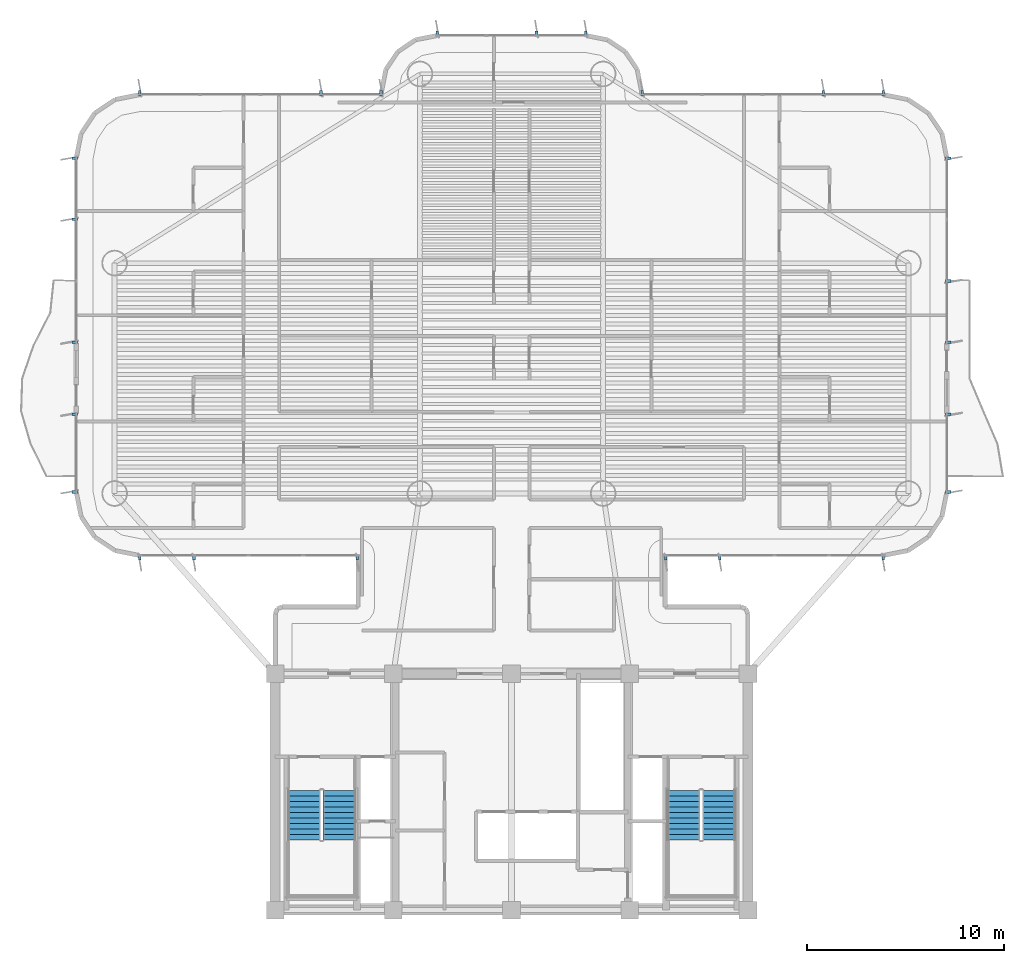
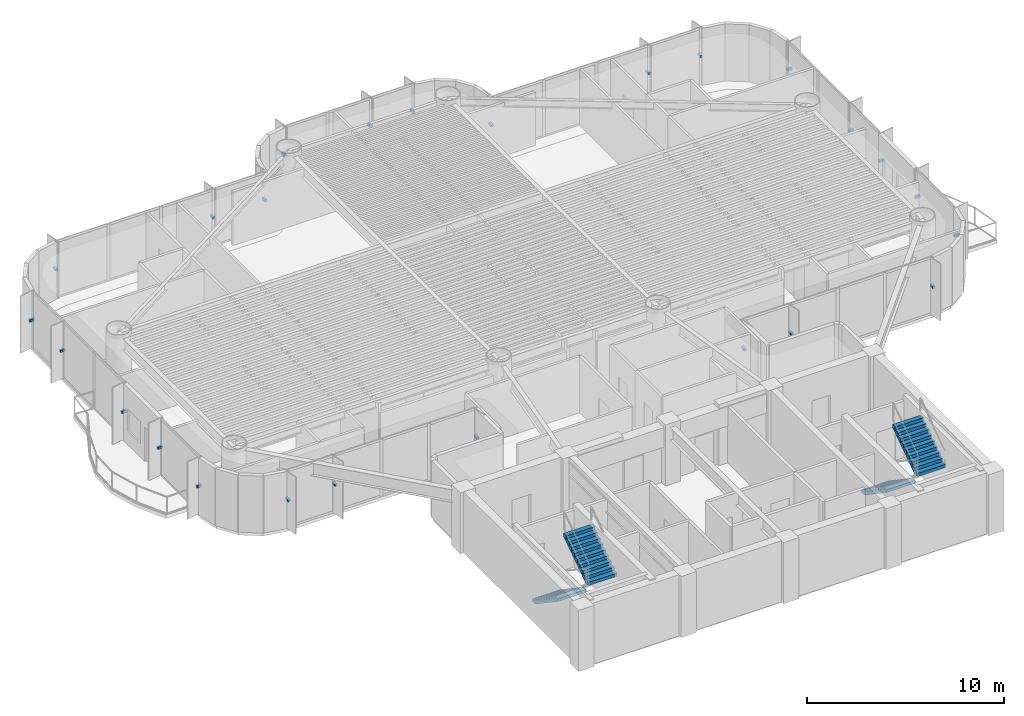
# One storey, part 13 of 17: 25 discrete accessories, 4 stair flights, 2 elements without a shape of their own.
"""IFC4 building model written with IfcOpenShell, lengths in metres."""

from ifc_helpers import new_model, si_unit, direction, frame, origin, origin_2d, place, context, subcontext, project, spatial, polyline, rectangle, outline, extrude, source, transform, mapped, material, type_object, element, aggregate, save


model = new_model("IFC4")

# Units and contexts
model_context = context("Model", 3, precision=1e-05, world=origin(), true_north=direction((0.0, 1.0)))
body_context = subcontext(model_context, "Body", "Model", "MODEL_VIEW")
ifc_project = project(units=[si_unit("LENGTHUNIT", "METRE"), si_unit("AREAUNIT", "SQUARE_METRE"), si_unit("VOLUMEUNIT", "CUBIC_METRE"), si_unit("PLANEANGLEUNIT", "RADIAN"), si_unit("MASSUNIT", "GRAM", prefix="KILO")], contexts=[model_context])

# Site, building, storey
site_placement = place(None, origin())
site = spatial("IfcSite", under=ifc_project, at=site_placement, CompositionType="ELEMENT")
building_placement = place(site_placement, origin())
building = spatial("IfcBuilding", under=site, at=building_placement, Name="Brelvock Crest Care Tower", CompositionType="ELEMENT")
storey_placement = place(building_placement, frame((0.0, 0.0, 135.179931640625)))
storey = spatial("IfcBuildingStorey", under=building, at=storey_placement, Name="L34", CompositionType="ELEMENT", Elevation=135.179931640625)

# Stair, stair flights
ifc_material_1 = material(Name="Concrete N40 (40 MPa)", Category="concrete")
stair_type = type_object("IfcStairType", Name="ST-CORE1", PredefinedType="HALF_TURN_STAIR", material=ifc_material_1)
stair_1_placement = place(storey_placement, origin())
stair_1 = element("IfcStair", 1, at=stair_1_placement, inside=storey, type_object=stair_type, Name="L34 Fire-Isolated Core Stair ST-1", PredefinedType="HALF_TURN_STAIR")
stair_flight_type = type_object("IfcStairFlightType", Name="STF-1", PredefinedType="STRAIGHT", material=ifc_material_1)
stair_flight_1_placement = place(storey_placement, frame((25.469970703125, 12.080078125, 0.0), z_axis=(0.0, 0.0, 1.0), x_axis=(0.0, -1.0, 0.0)))
stair_flight_1 = element("IfcStairFlight", 2, at=stair_flight_1_placement, type_object=stair_flight_type, Name="ST-1 flight 1", NumberOfRisers=10, NumberOfTreads=9, PredefinedType="STRAIGHT", RiserHeight=0.189, TreadLength=0.28, context=body_context, shape_type="SweptSolid", body=[
    extrude(outline(polyline([(-0.00390625, -0.014892578125), (-0.00390625, -0.0078125), (-0.00390625, -0.00048828125), (-0.00390625, 0.0068359375), (-0.00390625, 0.01416015625), (-0.00390625, 0.021484375), (-0.00390625, 0.02880859375), (-0.00390625, 0.035888671875), (-0.00390625, 0.043212890625), (-0.00390625, 0.050537109375), (-0.00390625, 0.057861328125), (-0.00390625, 0.065185546875), (-0.00390625, 0.072509765625), (-0.00390625, 0.07958984375), (-0.00390625, 0.0869140625), (-0.00390625, 0.09423828125), (-0.00390625, 0.1015625), (-0.00390625, 0.10888671875), (-0.00390625, 0.1162109375), (-0.00390625, 0.12353515625), (-0.00390625, 0.130615234375), (-0.00390625, 0.137939453125), (-0.00390625, 0.145263671875), (-0.00390625, 0.152587890625), (-0.00390625, 0.159912109375), (-0.00390625, 0.167236328125), (-0.00390625, 0.17431640625), (-0.00390625, 0.181640625), (-0.00390625, 0.18896484375), (0.0, 0.18896484375), (0.280029296875, 0.18896484375), (0.280029296875, 0.3779296875), (0.56005859375, 0.3779296875), (0.56005859375, 0.56689453125), (0.840087890625, 0.56689453125), (0.840087890625, 0.756103515625), (1.1201171875, 0.756103515625), (1.1201171875, 0.945068359375), (1.39990234375, 0.945068359375), (1.39990234375, 1.134033203125), (1.679931640625, 1.134033203125), (1.679931640625, 1.322998046875), (1.9599609375, 1.322998046875), (1.9599609375, 1.511962890625), (2.239990234375, 1.511962890625), (2.239990234375, 1.700927734375), (2.52001953125, 1.700927734375), (2.52392578125, 1.700927734375), (2.523681640625, 1.70068359375), (2.52392578125, 1.700439453125), (2.523681640625, 1.699951171875), (2.52392578125, 1.69970703125), (2.523681640625, 1.699462890625), (2.52392578125, 1.698974609375), (2.523681640625, 1.69873046875), (2.52392578125, 1.698486328125), (2.523681640625, 1.697998046875), (2.52392578125, 1.69775390625), (2.523681640625, 1.697509765625), (2.52392578125, 1.697021484375), (2.523681640625, 1.69677734375), (2.52392578125, 1.696533203125), (2.523681640625, 1.6962890625), (2.52392578125, 1.69580078125), (2.523681640625, 1.695556640625), (2.52392578125, 1.6953125), (2.523681640625, 1.69482421875), (2.52392578125, 1.694580078125), (2.523681640625, 1.6943359375), (2.52392578125, 1.69384765625), (2.523681640625, 1.693603515625), (2.52392578125, 1.693359375), (2.523681640625, 1.69287109375), (2.52392578125, 1.692626953125), (2.523681640625, 1.6923828125), (2.52392578125, 1.69189453125), (2.52001953125, 1.520263671875), (0.267822265625, 0.0), (0.0, 0.0), (0.0, -0.014892578125), (-0.00390625, -0.014892578125)])), frame((0.0, 0.83984375, 0.0), z_axis=(0.0, -1.0, 0.0), x_axis=(1.0, 0.0, 0.0)), (0.0, 0.0, 1.0), 1.679931640625),
])
stair_flight_2_placement = place(storey_placement, frame((27.27001953125, 9.56005859375, 1.89013671875), z_axis=(0.0, 0.0, 1.0), x_axis=(0.0, 1.0, 0.0)))
stair_flight_2 = element("IfcStairFlight", 3, at=stair_flight_2_placement, type_object=stair_flight_type, Name="ST-1 flight 2", NumberOfRisers=10, NumberOfTreads=9, PredefinedType="STRAIGHT", RiserHeight=0.189, TreadLength=0.28, context=body_context, shape_type="SweptSolid", body=[
    extrude(outline(polyline([(-0.00390625, -0.014892578125), (-0.00390625, -0.0078125), (-0.00390625, -0.00048828125), (-0.00390625, 0.0068359375), (-0.00390625, 0.01416015625), (-0.00390625, 0.021484375), (-0.00390625, 0.02880859375), (-0.00390625, 0.035888671875), (-0.00390625, 0.043212890625), (-0.00390625, 0.050537109375), (-0.00390625, 0.057861328125), (-0.00390625, 0.065185546875), (-0.00390625, 0.072509765625), (-0.00390625, 0.07958984375), (-0.00390625, 0.0869140625), (-0.00390625, 0.09423828125), (-0.00390625, 0.1015625), (-0.00390625, 0.10888671875), (-0.00390625, 0.1162109375), (-0.00390625, 0.12353515625), (-0.00390625, 0.130615234375), (-0.00390625, 0.137939453125), (-0.00390625, 0.145263671875), (-0.00390625, 0.152587890625), (-0.00390625, 0.159912109375), (-0.00390625, 0.167236328125), (-0.00390625, 0.17431640625), (-0.00390625, 0.181640625), (-0.00390625, 0.18896484375), (0.0, 0.18896484375), (0.280029296875, 0.18896484375), (0.280029296875, 0.3779296875), (0.56005859375, 0.3779296875), (0.56005859375, 0.56689453125), (0.840087890625, 0.56689453125), (0.840087890625, 0.756103515625), (1.1201171875, 0.756103515625), (1.1201171875, 0.945068359375), (1.39990234375, 0.945068359375), (1.39990234375, 1.134033203125), (1.679931640625, 1.134033203125), (1.679931640625, 1.322998046875), (1.9599609375, 1.322998046875), (1.9599609375, 1.511962890625), (2.239990234375, 1.511962890625), (2.239990234375, 1.700927734375), (2.52001953125, 1.700927734375), (2.52392578125, 1.700927734375), (2.523681640625, 1.70068359375), (2.52392578125, 1.700439453125), (2.523681640625, 1.699951171875), (2.52392578125, 1.69970703125), (2.523681640625, 1.699462890625), (2.52392578125, 1.698974609375), (2.523681640625, 1.69873046875), (2.52392578125, 1.698486328125), (2.523681640625, 1.697998046875), (2.52392578125, 1.69775390625), (2.523681640625, 1.697509765625), (2.52392578125, 1.697021484375), (2.523681640625, 1.69677734375), (2.52392578125, 1.696533203125), (2.523681640625, 1.6962890625), (2.52392578125, 1.69580078125), (2.523681640625, 1.695556640625), (2.52392578125, 1.6953125), (2.523681640625, 1.69482421875), (2.52392578125, 1.694580078125), (2.523681640625, 1.6943359375), (2.52392578125, 1.69384765625), (2.523681640625, 1.693603515625), (2.52392578125, 1.693359375), (2.523681640625, 1.69287109375), (2.52392578125, 1.692626953125), (2.523681640625, 1.6923828125), (2.52392578125, 1.69189453125), (2.52001953125, 1.520263671875), (0.267822265625, 0.0), (0.0, 0.0), (0.0, -0.014892578125), (-0.00390625, -0.014892578125)])), frame((0.0, 0.83984375, 0.0), z_axis=(0.0, -1.0, 0.0), x_axis=(1.0, 0.0, 0.0)), (0.0, 0.0, 1.0), 1.679931640625),
])
aggregate(stair_1, [stair_flight_1, stair_flight_2])

stair_2_placement = place(storey_placement, origin())
stair_2 = element("IfcStair", 4, at=stair_2_placement, inside=storey, type_object=stair_type, Name="L34 Fire-Isolated Core Stair ST-2", PredefinedType="HALF_TURN_STAIR")
stair_flight_3_placement = place(storey_placement, frame((44.72998046875, 12.080078125, 0.0), z_axis=(0.0, 0.0, 1.0), x_axis=(0.0, -1.0, 0.0)))
stair_flight_3 = element("IfcStairFlight", 5, at=stair_flight_3_placement, type_object=stair_flight_type, Name="ST-2 flight 1", NumberOfRisers=10, NumberOfTreads=9, PredefinedType="STRAIGHT", RiserHeight=0.189, TreadLength=0.28, context=body_context, shape_type="SweptSolid", body=[
    extrude(outline(polyline([(-0.00390625, -0.014892578125), (-0.00390625, -0.0078125), (-0.00390625, -0.00048828125), (-0.00390625, 0.0068359375), (-0.00390625, 0.01416015625), (-0.00390625, 0.021484375), (-0.00390625, 0.02880859375), (-0.00390625, 0.035888671875), (-0.00390625, 0.043212890625), (-0.00390625, 0.050537109375), (-0.00390625, 0.057861328125), (-0.00390625, 0.065185546875), (-0.00390625, 0.072509765625), (-0.00390625, 0.07958984375), (-0.00390625, 0.0869140625), (-0.00390625, 0.09423828125), (-0.00390625, 0.1015625), (-0.00390625, 0.10888671875), (-0.00390625, 0.1162109375), (-0.00390625, 0.12353515625), (-0.00390625, 0.130615234375), (-0.00390625, 0.137939453125), (-0.00390625, 0.145263671875), (-0.00390625, 0.152587890625), (-0.00390625, 0.159912109375), (-0.00390625, 0.167236328125), (-0.00390625, 0.17431640625), (-0.00390625, 0.181640625), (-0.00390625, 0.18896484375), (0.0, 0.18896484375), (0.280029296875, 0.18896484375), (0.280029296875, 0.3779296875), (0.56005859375, 0.3779296875), (0.56005859375, 0.56689453125), (0.840087890625, 0.56689453125), (0.840087890625, 0.756103515625), (1.1201171875, 0.756103515625), (1.1201171875, 0.945068359375), (1.39990234375, 0.945068359375), (1.39990234375, 1.134033203125), (1.679931640625, 1.134033203125), (1.679931640625, 1.322998046875), (1.9599609375, 1.322998046875), (1.9599609375, 1.511962890625), (2.239990234375, 1.511962890625), (2.239990234375, 1.700927734375), (2.52001953125, 1.700927734375), (2.52392578125, 1.700927734375), (2.523681640625, 1.70068359375), (2.52392578125, 1.700439453125), (2.523681640625, 1.699951171875), (2.52392578125, 1.69970703125), (2.523681640625, 1.699462890625), (2.52392578125, 1.698974609375), (2.523681640625, 1.69873046875), (2.52392578125, 1.698486328125), (2.523681640625, 1.697998046875), (2.52392578125, 1.69775390625), (2.523681640625, 1.697509765625), (2.52392578125, 1.697021484375), (2.523681640625, 1.69677734375), (2.52392578125, 1.696533203125), (2.523681640625, 1.6962890625), (2.52392578125, 1.69580078125), (2.523681640625, 1.695556640625), (2.52392578125, 1.6953125), (2.523681640625, 1.69482421875), (2.52392578125, 1.694580078125), (2.523681640625, 1.6943359375), (2.52392578125, 1.69384765625), (2.523681640625, 1.693603515625), (2.52392578125, 1.693359375), (2.523681640625, 1.69287109375), (2.52392578125, 1.692626953125), (2.523681640625, 1.6923828125), (2.52392578125, 1.69189453125), (2.52001953125, 1.520263671875), (0.267822265625, 0.0), (0.0, 0.0), (0.0, -0.014892578125), (-0.00390625, -0.014892578125)])), frame((0.0, 0.83984375, 0.0), z_axis=(0.0, -1.0, 0.0), x_axis=(1.0, 0.0, 0.0)), (0.0, 0.0, 1.0), 1.679931640625),
])
stair_flight_4_placement = place(storey_placement, frame((46.530029296875, 9.56005859375, 1.89013671875), z_axis=(0.0, 0.0, 1.0), x_axis=(0.0, 1.0, 0.0)))
stair_flight_4 = element("IfcStairFlight", 6, at=stair_flight_4_placement, type_object=stair_flight_type, Name="ST-2 flight 2", NumberOfRisers=10, NumberOfTreads=9, PredefinedType="STRAIGHT", RiserHeight=0.189, TreadLength=0.28, context=body_context, shape_type="SweptSolid", body=[
    extrude(outline(polyline([(-0.00390625, -0.014892578125), (-0.00390625, -0.0078125), (-0.00390625, -0.00048828125), (-0.00390625, 0.0068359375), (-0.00390625, 0.01416015625), (-0.00390625, 0.021484375), (-0.00390625, 0.02880859375), (-0.00390625, 0.035888671875), (-0.00390625, 0.043212890625), (-0.00390625, 0.050537109375), (-0.00390625, 0.057861328125), (-0.00390625, 0.065185546875), (-0.00390625, 0.072509765625), (-0.00390625, 0.07958984375), (-0.00390625, 0.0869140625), (-0.00390625, 0.09423828125), (-0.00390625, 0.1015625), (-0.00390625, 0.10888671875), (-0.00390625, 0.1162109375), (-0.00390625, 0.12353515625), (-0.00390625, 0.130615234375), (-0.00390625, 0.137939453125), (-0.00390625, 0.145263671875), (-0.00390625, 0.152587890625), (-0.00390625, 0.159912109375), (-0.00390625, 0.167236328125), (-0.00390625, 0.17431640625), (-0.00390625, 0.181640625), (-0.00390625, 0.18896484375), (0.0, 0.18896484375), (0.280029296875, 0.18896484375), (0.280029296875, 0.3779296875), (0.56005859375, 0.3779296875), (0.56005859375, 0.56689453125), (0.840087890625, 0.56689453125), (0.840087890625, 0.756103515625), (1.1201171875, 0.756103515625), (1.1201171875, 0.945068359375), (1.39990234375, 0.945068359375), (1.39990234375, 1.134033203125), (1.679931640625, 1.134033203125), (1.679931640625, 1.322998046875), (1.9599609375, 1.322998046875), (1.9599609375, 1.511962890625), (2.239990234375, 1.511962890625), (2.239990234375, 1.700927734375), (2.52001953125, 1.700927734375), (2.52392578125, 1.700927734375), (2.523681640625, 1.70068359375), (2.52392578125, 1.700439453125), (2.523681640625, 1.699951171875), (2.52392578125, 1.69970703125), (2.523681640625, 1.699462890625), (2.52392578125, 1.698974609375), (2.523681640625, 1.69873046875), (2.52392578125, 1.698486328125), (2.523681640625, 1.697998046875), (2.52392578125, 1.69775390625), (2.523681640625, 1.697509765625), (2.52392578125, 1.697021484375), (2.523681640625, 1.69677734375), (2.52392578125, 1.696533203125), (2.523681640625, 1.6962890625), (2.52392578125, 1.69580078125), (2.523681640625, 1.695556640625), (2.52392578125, 1.6953125), (2.523681640625, 1.69482421875), (2.52392578125, 1.694580078125), (2.523681640625, 1.6943359375), (2.52392578125, 1.69384765625), (2.523681640625, 1.693603515625), (2.52392578125, 1.693359375), (2.523681640625, 1.69287109375), (2.52392578125, 1.692626953125), (2.523681640625, 1.6923828125), (2.52392578125, 1.69189453125), (2.52001953125, 1.520263671875), (0.267822265625, 0.0), (0.0, 0.0), (0.0, -0.014892578125), (-0.00390625, -0.014892578125)])), frame((0.0, 0.83984375, 0.0), z_axis=(0.0, -1.0, 0.0), x_axis=(1.0, 0.0, 0.0)), (0.0, 0.0, 1.0), 1.679931640625),
])
aggregate(stair_2, [stair_flight_3, stair_flight_4])

# Discrete accessories
ifc_material_2 = material(Name="Steel Grade 350", Category="steel")
discrete_accessory_type = type_object("IfcDiscreteAccessoryType", Name="ACC-BRK1", PredefinedType="BRACKET", material=ifc_material_2)
shared_shape = source(origin(), body_context, "Body", "SweptSolid", [
    extrude(rectangle(XDim=0.280029296875, YDim=0.139892578125, at=origin_2d()), origin(), (0.0, 0.0, 1.0), 0.139892578125),
])
for number, where, z_axis, x_axis, name in (
    (7, (28.169921875, 23.919921875, 1.6953125), (0.0, 0.0, 1.0), (0.0, -1.0, 0.0), "L34 Facade Fin Bracket E12-01"),
    (8, (19.875, 23.919921875, 1.6953125), (0.0, 0.0, 1.0), (0.0, -1.0, 0.0), "L34 Facade Fin Bracket E12-04"),
    (9, (17.1298828125, 23.919921875, 1.6953125), (0.0, 0.0, 1.0), (0.0, -1.0, 0.0), "L34 Facade Fin Bracket E12-05"),
    (10, (13.820068359375, 27.22998046875, 1.6953125), (0.0, 0.0, 1.0), (-1.0, 0.0, 0.0), "L34 Facade Fin Bracket E17A-01"),
    (11, (13.820068359375, 31.169921875, 1.6953125), (0.0, 0.0, 1.0), (-1.0, 0.0, 0.0), "L34 Facade Fin Bracket E17A-02"),
    (12, (13.820068359375, 34.830078125, 1.6953125), (0.0, 0.0, 1.0), (-1.0, 0.0, 0.0), "L34 Facade Fin Bracket E17B-01"),
    (13, (13.820068359375, 41.066650390625, 1.6953125), (0.0, 0.0, 1.0), (-1.0, 0.0, 0.0), "L34 Facade Fin Bracket E17B-03"),
    (14, (13.820068359375, 44.169921875, 1.6953125), (0.0, 0.0, 1.0), (-1.0, 0.0, 0.0), "L34 Facade Fin Bracket E17B-04"),
    (15, (17.1298828125, 47.47998046875, 1.6953125), (0.0, 0.0, 1.0), (0.0, 1.0, 0.0), "L34 Facade Fin Bracket E22-01"),
    (16, (26.324951171875, 47.47998046875, 1.6953125), (0.0, 0.0, 1.0), (0.0, 1.0, 0.0), "L34 Facade Fin Bracket E22-04"),
    (17, (29.3701171875, 47.47998046875, 1.6953125), (0.0, 0.0, 1.0), (0.0, 1.0, 0.0), "L34 Facade Fin Bracket E22-05"),
    (18, (32.22998046875, 50.47998046875, 1.6953125), (0.0, 0.0, 1.0), (0.0, 1.0, 0.0), "L34 Facade Fin Bracket E28-01"),
    (19, (37.2666015625, 50.47998046875, 1.6953125), (0.0, 0.0, 1.0), (0.0, 1.0, 0.0), "L34 Facade Fin Bracket E28-03"),
    (20, (39.77001953125, 50.47998046875, 1.6953125), (0.0, 0.0, 1.0), (0.0, 1.0, 0.0), "L34 Facade Fin Bracket E28-04"),
    (21, (42.6298828125, 47.47998046875, 1.6953125), (0.0, 0.0, 1.0), (0.0, 1.0, 0.0), "L34 Facade Fin Bracket E34-01"),
    (22, (51.824951171875, 47.47998046875, 1.6953125), (0.0, 0.0, 1.0), (0.0, 1.0, 0.0), "L34 Facade Fin Bracket E34-04"),
    (23, (54.8701171875, 47.47998046875, 1.6953125), (0.0, 0.0, 1.0), (0.0, 1.0, 0.0), "L34 Facade Fin Bracket E34-05"),
    (24, (58.179931640625, 44.169921875, 1.6953125), (0.0, 0.0, 1.0), (1.0, 0.0, 0.0), "L34 Facade Fin Bracket E39A-01"),
    (25, (58.179931640625, 37.933349609375, 1.6953125), (0.0, 0.0, 1.0), (1.0, 0.0, 0.0), "L34 Facade Fin Bracket E39A-03"),
    (26, (58.179931640625, 34.830078125, 1.6953125), (0.0, 0.0, 1.0), (1.0, 0.0, 0.0), "L34 Facade Fin Bracket E39A-04"),
    (27, (58.179931640625, 31.169921875, 1.6953125), (0.0, 0.0, 1.0), (1.0, 0.0, 0.0), "L34 Facade Fin Bracket E39B-01"),
    (28, (58.179931640625, 27.22998046875, 1.6953125), (0.0, 0.0, 1.0), (1.0, 0.0, 0.0), "L34 Facade Fin Bracket E39B-02"),
    (29, (54.8701171875, 23.919921875, 1.6953125), (0.0, 0.0, 1.0), (0.0, -1.0, 0.0), "L34 Facade Fin Bracket E44-01"),
    (30, (46.574951171875, 23.919921875, 1.6953125), (0.0, 0.0, 1.0), (0.0, -1.0, 0.0), "L34 Facade Fin Bracket E44-04"),
    (31, (43.830078125, 23.919921875, 1.6953125), (0.0, 0.0, 1.0), (0.0, -1.0, 0.0), "L34 Facade Fin Bracket E44-05"),
):
    element("IfcDiscreteAccessory", number, at=place(storey_placement, frame(where, z_axis=z_axis, x_axis=x_axis)), inside=storey, type_object=discrete_accessory_type, Name=name, PredefinedType="BRACKET", context=body_context, shape_type="MappedRepresentation", body=[
        mapped(shared_shape, transform((0.0, 0.0, 0.0), x_axis=(1.0, 0.0, 0.0), y_axis=(0.0, 1.0, 0.0), z_axis=(0.0, 0.0, 1.0), scale=1.0)),
    ])

save(model, "model.ifc")
